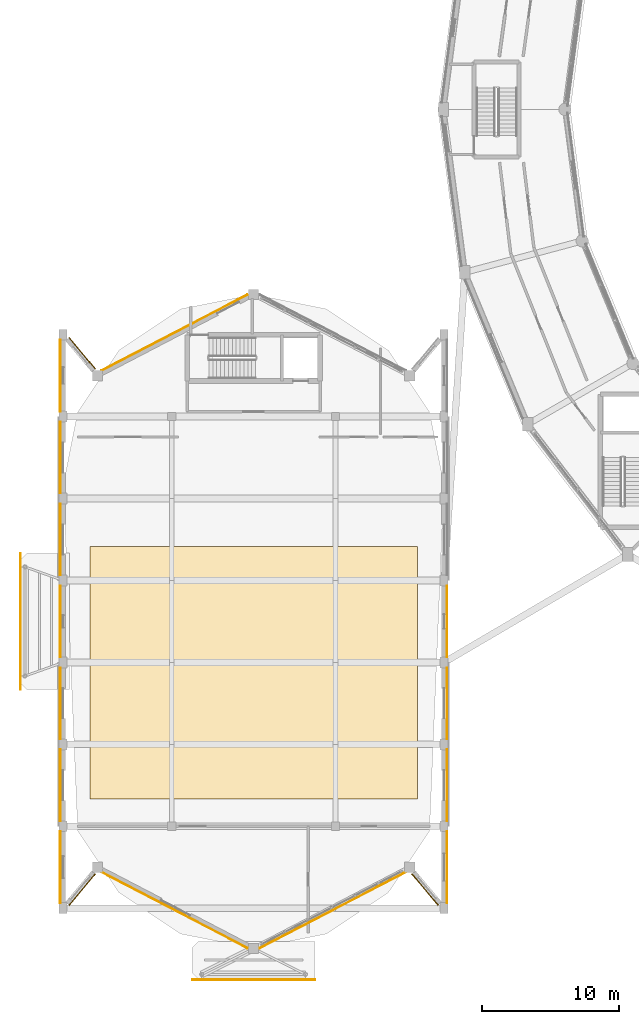
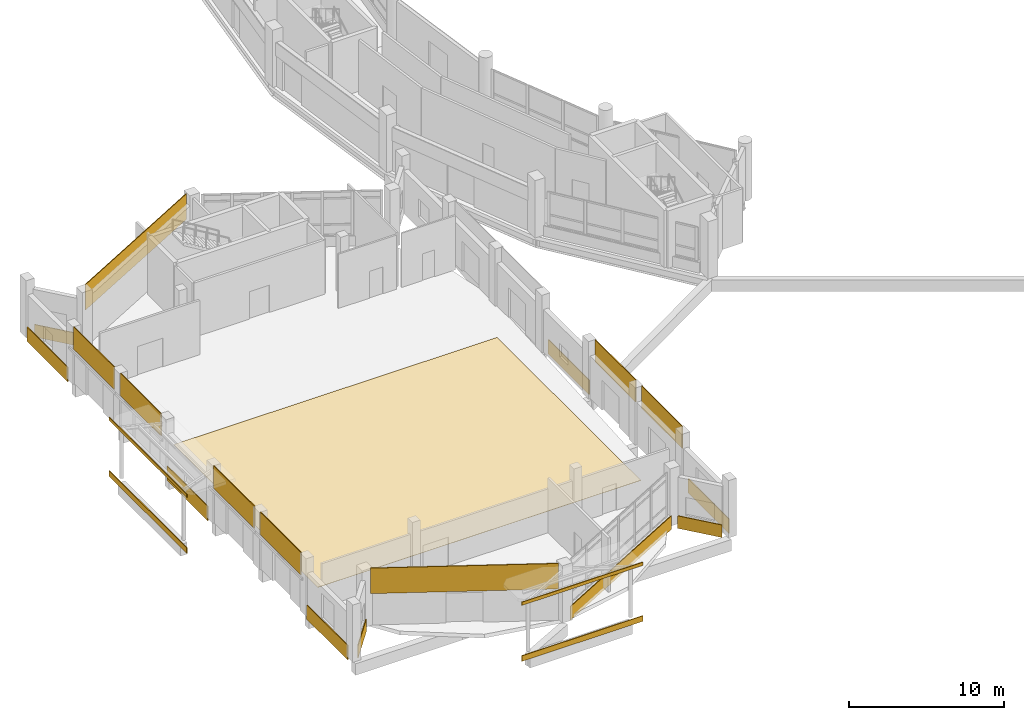
# One storey, part 116 of 129: 22 coverings.
"""IFC4 building model written with IfcOpenShell, lengths in metres."""

from ifc_helpers import new_model, si_unit, direction, frame, frame_2d, origin, place, context, subcontext, project, spatial, polyline, rectangle, outline, extrude, material, layer, layer_set, type_object, element, save


model = new_model("IFC4")

# Units and contexts
model_context = context("Model", 3, precision=1e-05, world=origin(), true_north=direction((0.0, 1.0)))
body_context = subcontext(model_context, "Body", "Model", "MODEL_VIEW")
ifc_project = project(units=[si_unit("LENGTHUNIT", "METRE"), si_unit("AREAUNIT", "SQUARE_METRE"), si_unit("VOLUMEUNIT", "CUBIC_METRE"), si_unit("PLANEANGLEUNIT", "RADIAN"), si_unit("MASSUNIT", "GRAM", prefix="KILO")], contexts=[model_context])

# Site, building, storey
site_placement = place(None, origin())
site = spatial("IfcSite", under=ifc_project, at=site_placement, CompositionType="ELEMENT")
building_placement = place(site_placement, origin())
building = spatial("IfcBuilding", under=site, at=building_placement, Name="Vespera Passage Community Centre", CompositionType="ELEMENT")
storey_placement = place(building_placement, origin())
storey = spatial("IfcBuildingStorey", under=building, at=storey_placement, Name="L00", CompositionType="ELEMENT", Elevation=0.0)

# Coverings
ifc_material_1 = material(Name="Precast concrete f'c 40 MPa", Category="concrete")
ifc_layer_1 = layer(ifc_material_1, 0.06005859375)
ifc_layer_set_1 = layer_set([ifc_layer_1], Name="Precast concrete f'c 40 MPa")
covering_type_1 = type_object("IfcCoveringType", Name="COV-CLAD-60E", PredefinedType="CLADDING", material=ifc_layer_set_1)
for number, where, z_axis, x_axis, name in (
    (1, (3.840087890625, 7.375, -0.280029296875), (0.0, 0.0, 1.0), (0.0, 1.0, 0.0), "V1 L00 W1 White Sill Band"),
    (2, (32.159912109375, 12.625, -0.280029296875), (0.0, 0.0, 1.0), (0.0, -1.0, 0.0), "V1 L00 E1 White Sill Band"),
):
    element("IfcCovering", number, at=place(storey_placement, frame(where, z_axis=z_axis, x_axis=x_axis)), inside=storey, type_object=covering_type_1, Name=name, PredefinedType="CLADDING", context=body_context, shape_type="SweptSolid", body=[
        extrude(rectangle(XDim=5.25, YDim=0.06005859375, at=frame_2d((2.625, 0.0))), origin(), (0.0, 0.0, 1.0), 1.130126953125),
    ])
for number, where, z_axis, x_axis, name in (
    (3, (3.840087890625, 13.375, 2.75), (0.0, 0.0, 1.0), (0.0, 1.0, 0.0), "V1 L00 W2 White Fascia Band"),
    (4, (32.159912109375, 18.625, 2.75), (0.0, 0.0, 1.0), (0.0, -1.0, 0.0), "V1 L00 E2 White Fascia Band"),
    (5, (3.840087890625, 19.375, 2.75), (0.0, 0.0, 1.0), (0.0, 1.0, 0.0), "V1 L00 W3 White Fascia Band"),
    (6, (32.159912109375, 24.625, 2.75), (0.0, 0.0, 1.0), (0.0, -1.0, 0.0), "V1 L00 E3 White Fascia Band"),
):
    element("IfcCovering", number, at=place(storey_placement, frame(where, z_axis=z_axis, x_axis=x_axis)), inside=storey, type_object=covering_type_1, Name=name, PredefinedType="CLADDING", context=body_context, shape_type="SweptSolid", body=[
        extrude(rectangle(XDim=5.25, YDim=0.06005859375, at=frame_2d((2.625, 0.0))), origin(), (0.0, 0.0, 1.0), 1.75),
    ])
for number, where, z_axis, x_axis, name in (
    (7, (3.840087890625, 25.375, -0.280029296875), (0.0, 0.0, 1.0), (0.0, 1.0, 0.0), "V1 L00 W4 White Sill Band"),
    (8, (32.159912109375, 30.625, -0.280029296875), (0.0, 0.0, 1.0), (0.0, -1.0, 0.0), "V1 L00 E4 White Sill Band"),
):
    element("IfcCovering", number, at=place(storey_placement, frame(where, z_axis=z_axis, x_axis=x_axis)), inside=storey, type_object=covering_type_1, Name=name, PredefinedType="CLADDING", context=body_context, shape_type="SweptSolid", body=[
        extrude(rectangle(XDim=5.25, YDim=0.06005859375, at=frame_2d((2.625, 0.0))), origin(), (0.0, 0.0, 1.0), 1.130126953125),
    ])
for number, where, z_axis, x_axis, name in (
    (9, (3.840087890625, 31.375, 2.75), (0.0, 0.0, 1.0), (0.0, 1.0, 0.0), "V1 L00 W5 White Fascia Band"),
    (10, (3.840087890625, 37.375, 2.75), (0.0, 0.0, 1.0), (0.0, 1.0, 0.0), "V1 L00 W6 White Fascia Band"),
):
    element("IfcCovering", number, at=place(storey_placement, frame(where, z_axis=z_axis, x_axis=x_axis)), inside=storey, type_object=covering_type_1, Name=name, PredefinedType="CLADDING", context=body_context, shape_type="SweptSolid", body=[
        extrude(rectangle(XDim=5.25, YDim=0.06005859375, at=frame_2d((2.625, 0.0))), origin(), (0.0, 0.0, 1.0), 1.75),
    ])
covering_1_placement = place(storey_placement, frame((3.840087890625, 43.375, -0.280029296875), z_axis=(0.0, 0.0, 1.0), x_axis=(0.0, 1.0, 0.0)))
element("IfcCovering", 11, at=covering_1_placement, inside=storey, type_object=covering_type_1, Name="V1 L00 W7 White Sill Band", PredefinedType="CLADDING", context=body_context, shape_type="SweptSolid", body=[
    extrude(rectangle(XDim=5.25, YDim=0.06005859375, at=frame_2d((2.625, 0.0))), origin(), (0.0, 0.0, 1.0), 1.130126953125),
])
covering_2_placement = place(storey_placement, frame((4.479248046875, 48.784912109375, -0.260009765625), z_axis=(0.0, 0.0, 1.0), x_axis=(0.643756356561, -0.765230523037, 0.0)))
element("IfcCovering", 12, at=covering_2_placement, inside=storey, type_object=covering_type_1, Name="V1 L00 N1 Apse Sill Band", PredefinedType="CLADDING", context=body_context, shape_type="SweptSolid", body=[
    extrude(rectangle(XDim=3.0126953125, YDim=0.06005859375, at=frame_2d((1.50634765625, 0.0))), origin(), (0.0, 0.0, 1.0), 0.97998046875),
])
covering_3_placement = place(storey_placement, frame((6.837890625, 46.353515625, 2.5), z_axis=(0.0, 0.0, 1.0), x_axis=(0.887012674584, 0.46174507591, 0.0)))
element("IfcCovering", 13, at=covering_3_placement, inside=storey, type_object=covering_type_1, Name="V1 L00 N Apse Portal Band", PredefinedType="CLADDING", context=body_context, shape_type="SweptSolid", body=[
    extrude(rectangle(XDim=12.08740234375, YDim=0.06005859375, at=frame_2d((6.043701171875, 0.0))), origin(), (0.0, 0.0, 1.0), 2.0),
])
covering_4_placement = place(storey_placement, frame((31.520751953125, 7.215087890625, -0.260009765625), z_axis=(0.0, 0.0, 1.0), x_axis=(-0.643756356561, 0.765230523037, 0.0)))
element("IfcCovering", 14, at=covering_4_placement, inside=storey, type_object=covering_type_1, Name="V1 L00 S1 Apse Sill Band", PredefinedType="CLADDING", context=body_context, shape_type="SweptSolid", body=[
    extrude(rectangle(XDim=3.0126953125, YDim=0.06005859375, at=frame_2d((1.50634765625, 0.0))), origin(), (0.0, 0.0, 1.0), 0.97998046875),
])
covering_5_placement = place(storey_placement, frame((29.162109375, 9.646484375, -0.260009765625), z_axis=(0.0, 0.0, 1.0), x_axis=(-0.887012674584, -0.46174507591, 0.0)))
element("IfcCovering", 15, at=covering_5_placement, inside=storey, type_object=covering_type_1, Name="V1 L00 S2 Apse White Band", PredefinedType="CLADDING", context=body_context, shape_type="SweptSolid", body=[
    extrude(rectangle(XDim=12.08740234375, YDim=0.06005859375, at=frame_2d((6.043701171875, 0.0))), origin(), (0.0, 0.0, 1.0), 1.06005859375),
])
covering_6_placement = place(storey_placement, frame((17.5595703125, 4.065185546875, 2.5), z_axis=(0.0, 0.0, 1.0), x_axis=(-0.887012674584, 0.46174507591, 0.0)))
element("IfcCovering", 16, at=covering_6_placement, inside=storey, type_object=covering_type_1, Name="V1 L00 S Apse Portal Band", PredefinedType="CLADDING", context=body_context, shape_type="SweptSolid", body=[
    extrude(rectangle(XDim=12.08740234375, YDim=0.06005859375, at=frame_2d((6.043701171875, 0.0))), origin(), (0.0, 0.0, 1.0), 2.0),
])
covering_7_placement = place(storey_placement, frame((6.418701171875, 9.5205078125, -0.260009765625), z_axis=(0.0, 0.0, 1.0), x_axis=(-0.643756356561, -0.765230523037, 0.0)))
element("IfcCovering", 17, at=covering_7_placement, inside=storey, type_object=covering_type_1, Name="V1 L00 S4 Apse Sill Band", PredefinedType="CLADDING", context=body_context, shape_type="SweptSolid", body=[
    extrude(rectangle(XDim=3.0126953125, YDim=0.06005859375, at=frame_2d((1.50634765625, 0.0))), origin(), (0.0, 0.0, 1.0), 0.97998046875),
])
covering_8_placement = place(storey_placement, frame((0.919921875, 23.0, -0.3798828125), z_axis=(0.0, 0.0, 1.0), x_axis=(0.0, 1.0, 0.0)))
element("IfcCovering", 18, at=covering_8_placement, inside=storey, type_object=covering_type_1, Name="At-Grade Civic Plinth Skirt EC1-W", PredefinedType="CLADDING", context=body_context, shape_type="SweptSolid", body=[
    extrude(rectangle(XDim=10.0, YDim=0.06005859375, at=frame_2d((5.0, 0.0))), origin(), (0.0, 0.0, 1.0), 0.429931640625),
])
covering_9_placement = place(storey_placement, frame((13.5, 1.77001953125, -0.3798828125), z_axis=(0.0, 0.0, 1.0), x_axis=(1.0, 0.0, 0.0)))
element("IfcCovering", 19, at=covering_9_placement, inside=storey, type_object=covering_type_1, Name="At-Grade Civic Plinth Skirt EC2-S", PredefinedType="CLADDING", context=body_context, shape_type="SweptSolid", body=[
    extrude(rectangle(XDim=9.0, YDim=0.06005859375, at=frame_2d((4.5, 0.0))), origin(), (0.0, 0.0, 1.0), 0.429931640625),
])
covering_10_placement = place(storey_placement, frame((0.919921875, 23.0, 4.010009765625), z_axis=(0.0, 0.0, 1.0), x_axis=(0.0, 1.0, 0.0)))
element("IfcCovering", 20, at=covering_10_placement, inside=storey, type_object=covering_type_1, Name="EC1 Canopy White Fascia", PredefinedType="CLADDING", context=body_context, shape_type="SweptSolid", body=[
    extrude(rectangle(XDim=10.0, YDim=0.06005859375, at=frame_2d((5.0, 0.0))), origin(), (0.0, 0.0, 1.0), 0.25),
])
covering_11_placement = place(storey_placement, frame((13.5, 1.77001953125, 4.010009765625), z_axis=(0.0, 0.0, 1.0), x_axis=(1.0, 0.0, 0.0)))
element("IfcCovering", 21, at=covering_11_placement, inside=storey, type_object=covering_type_1, Name="EC2 Canopy White Fascia", PredefinedType="CLADDING", context=body_context, shape_type="SweptSolid", body=[
    extrude(rectangle(XDim=9.0, YDim=0.06005859375, at=frame_2d((4.5, 0.0))), origin(), (0.0, 0.0, 1.0), 0.25),
])
ifc_material_2 = material(Name="Epoxy terrazzo flooring")
ifc_layer_2 = layer(ifc_material_2, 0.02001953125)
ifc_layer_set_2 = layer_set([ifc_layer_2], Name="Epoxy terrazzo flooring")
covering_type_2 = type_object("IfcCoveringType", Name="COV-FLOOR-20I", PredefinedType="FLOORING", material=ifc_layer_set_2)
covering_12_placement = place(storey_placement, origin())
element("IfcCovering", 22, at=covering_12_placement, inside=storey, type_object=covering_type_2, Name="Main Hall Terrazzo Flooring", PredefinedType="FLOORING", context=body_context, shape_type="SweptSolid", body=[
    extrude(outline(polyline([(6.0, 15.0), (30.0, 15.0), (30.0, 33.5), (6.0, 33.5), (6.0, 15.0)])), origin(), (0.0, 0.0, 1.0), 0.02001953125),
])

save(model, "model.ifc")
